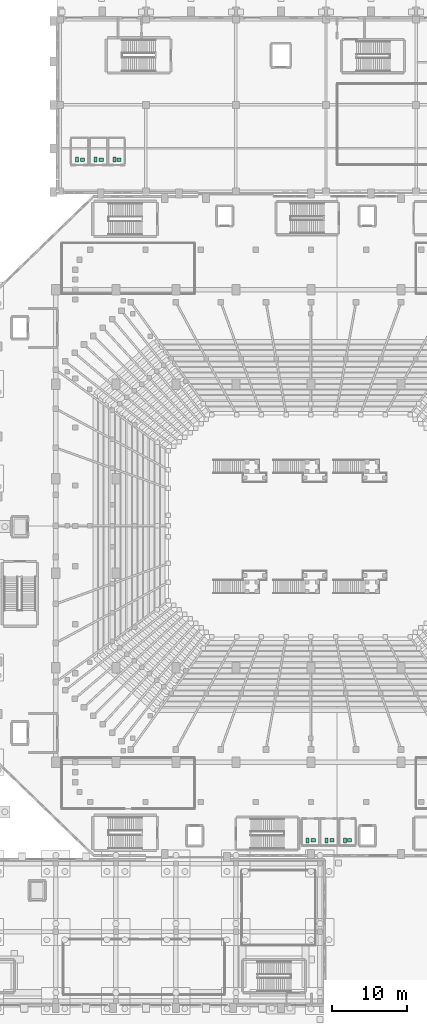
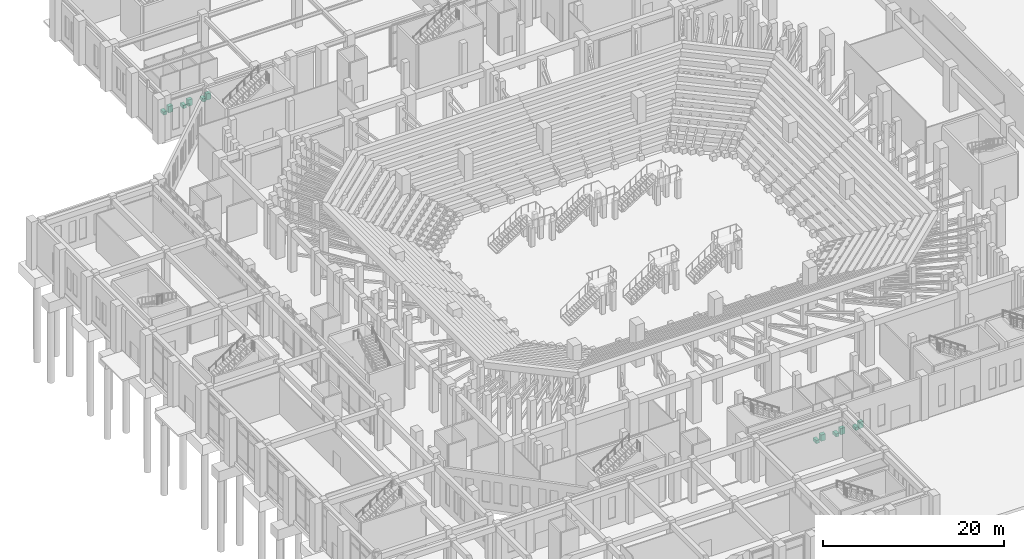
# One storey, part 142 of 143: 12 sanitary terminals.
"""IFC4 building model written with IfcOpenShell, lengths in metres."""

import ifcopenshell
import ifcopenshell.guid

model = None  # the IFC model being written
_history = None  # IfcOwnerHistory: only IFC2X3 demands one
_inside = {}  # id of a spatial element -> (the spatial element, [elements in it])
_under = {}  # id of a project, library or spatial element -> (it, [spatial elements below it])
_declared = {}  # id of a project -> (the project, [libraries it declares])
_typed = {}  # id of a type object -> (the type object, [elements of that type])
_made_of = {}  # id of a material, layer set ... -> (it, [elements and type objects made of it])


def new_model(schema):
    """Start an empty IFC model of exactly this schema.

    Asked for "IFC4X3", IfcOpenShell would pick the latest addendum, in which some entities
    have other attributes; the version numbers below select the first issue.
    IFC2X3 requires an IfcOwnerHistory on every rooted entity: one is made here for all.
    """
    global model, _history
    if schema == "IFC4X3":
        model = ifcopenshell.file(schema_version=(4, 3, 0, 0))
    else:
        model = ifcopenshell.file(schema=schema)
    _inside.clear()
    _under.clear()
    _declared.clear()
    _typed.clear()
    _made_of.clear()
    _history = None
    if model.schema == "IFC2X3":
        org = make("IfcOrganization", Name="unknown")
        user = make(
            "IfcPersonAndOrganization",
            ThePerson=make("IfcPerson", FamilyName="unknown"),
            TheOrganization=org,
        )
        app = make(
            "IfcApplication",
            ApplicationDeveloper=org,
            Version="unknown",
            ApplicationFullName="unknown",
            ApplicationIdentifier="unknown",
        )
        _history = make(
            "IfcOwnerHistory",
            OwningUser=user,
            OwningApplication=app,
            ChangeAction="ADDED",
            CreationDate=0,
        )
    return model


def make(cls, **values):
    """One entity of the class cls with the attributes given. An attribute that is None is left unset."""
    return model.create_entity(
        cls, **{name: value for name, value in values.items() if value is not None}
    )


def rooted(cls, **values):
    """An entity with a GlobalId (a new one), such as an element, a storey or a relation."""
    return make(cls, GlobalId=ifcopenshell.guid.new(), OwnerHistory=_history, **values)


def si_unit(unit_type, name, prefix=None):
    """IfcSIUnit, for example si_unit("LENGTHUNIT", "METRE", prefix="MILLI")."""
    return make("IfcSIUnit", UnitType=unit_type, Prefix=prefix, Name=name)


def derived_unit(unit_type, elements):
    """IfcDerivedUnit: a product of units, each with its exponent."""
    return make(
        "IfcDerivedUnit",
        Elements=[
            make("IfcDerivedUnitElement", Unit=unit, Exponent=power)
            for unit, power in elements
        ],
        UnitType=unit_type,
    )


def assignment(units):
    """IfcUnitAssignment: the units of a project."""
    return None if units is None else make("IfcUnitAssignment", Units=units)


def point(xyz):
    """IfcCartesianPoint."""
    return None if xyz is None else make("IfcCartesianPoint", Coordinates=xyz)


def direction(xyz):
    """IfcDirection."""
    return None if xyz is None else make("IfcDirection", DirectionRatios=xyz)


def frame(location, z_axis=None, x_axis=None):
    """IfcAxis2Placement3D, a coordinate frame: its origin and axes. An axis left out is left unset."""
    return make(
        "IfcAxis2Placement3D",
        Location=point(location),
        Axis=direction(z_axis),
        RefDirection=direction(x_axis),
    )


def frame_2d(location, x_axis=None):
    """IfcAxis2Placement2D, a coordinate frame in the plane: its origin and x axis."""
    return make(
        "IfcAxis2Placement2D", Location=point(location), RefDirection=direction(x_axis)
    )


def origin():
    """The frame at (0, 0, 0) with its axes left unset."""
    return frame((0.0, 0.0, 0.0))


def origin_2d():
    """The frame at (0, 0) in the plane with its x axis left unset."""
    return frame_2d((0.0, 0.0))


def place(relative_to, where):
    """IfcLocalPlacement: puts the frame where relative to a parent placement (None: the world)."""
    return make(
        "IfcLocalPlacement", PlacementRelTo=relative_to, RelativePlacement=where
    )


def context(
    kind, dimensions, precision=None, world=None, true_north=None, identifier=None
):
    """IfcGeometricRepresentationContext, for example the 3D "Model" context."""
    return make(
        "IfcGeometricRepresentationContext",
        ContextIdentifier=identifier,
        ContextType=kind,
        CoordinateSpaceDimension=dimensions,
        Precision=precision,
        WorldCoordinateSystem=world,
        TrueNorth=true_north,
    )


def subcontext(parent, identifier, kind, view, scale=None):
    """IfcGeometricRepresentationSubContext, for example "Body" below "Model"."""
    return make(
        "IfcGeometricRepresentationSubContext",
        ContextIdentifier=identifier,
        ContextType=kind,
        ParentContext=parent,
        TargetScale=scale,
        TargetView=view,
    )


def project(units=None, contexts=None):
    """IfcProject with its units and contexts."""
    return rooted(
        "IfcProject",
        Name="project",
        RepresentationContexts=contexts,
        UnitsInContext=assignment(units),
    )


def spatial(cls, under=None, at=None, **own):
    """A site, building, storey or space (cls), placed at a placement, below another one or the project."""
    s = rooted(cls, ObjectPlacement=at, **own)
    if under is not None:
        _under.setdefault(under.id(), (under, []))[1].append(s)
    return s


def profile(cls, at=None, kind="AREA", **sizes):
    """A parametric profile (cls). Its sizes go by their IFC names, for example OverallWidth=200.0."""
    return make(cls, ProfileType=kind, Position=at, **sizes)


def rectangle(**sizes):
    """IfcRectangleProfileDef."""
    return profile("IfcRectangleProfileDef", **sizes)


def extrude(swept, where, along, depth):
    """IfcExtrudedAreaSolid: the profile swept, set in the frame where, extruded along a direction by depth."""
    return make(
        "IfcExtrudedAreaSolid",
        SweptArea=swept,
        Position=where,
        ExtrudedDirection=direction(along),
        Depth=depth,
    )


def shape(context_of_items, identifier, shape_type, items):
    """IfcShapeRepresentation: the items that make up one representation, for example the "Body"."""
    return make(
        "IfcShapeRepresentation",
        ContextOfItems=context_of_items,
        RepresentationIdentifier=identifier,
        RepresentationType=shape_type,
        Items=items,
    )


def material(Name=None, Category=None):
    """IfcMaterial."""
    return make("IfcMaterial", Name=Name, Category=Category)


def made_of(thing, what):
    """Note that an element or type object is made of a material, layer set ...; save() writes the relation."""
    if what is not None:
        _made_of.setdefault(what.id(), (what, []))[1].append(thing)
    return thing


def type_object(cls, material=None, **own):
    """A type object (cls), such as IfcWallType, which elements share."""
    return made_of(rooted(cls, **own), material)


def element(
    cls,
    number,
    at=None,
    inside=None,
    cuts=None,
    type_object=None,
    material=None,
    context=None,
    identifier="Body",
    shape_type=None,
    held_by="IfcProductDefinitionShape",
    body=None,
    shapes=None,
    **own,
):
    """One element of the class cls, such as IfcWall. Its Tag is "e" and its number.

    at: its placement. inside: the storey or other place that contains it. cuts: it is an
    opening in that element (IfcRelVoidsElement). A single representation is given by context,
    identifier, shape_type and body (its items); several are given by shapes. held_by: the class
    of the entity that holds the representations. save() writes the other relations.
    """
    e = rooted(cls, Tag="e%d" % number, ObjectPlacement=at, **own)
    if body is not None:
        shapes = [shape(context, identifier, shape_type, body)]
    if shapes is not None:
        e.Representation = make(held_by, Representations=shapes)
    if inside is not None:
        _inside.setdefault(inside.id(), (inside, []))[1].append(e)
    if cuts is not None:
        rooted(
            "IfcRelVoidsElement", RelatingBuildingElement=cuts, RelatedOpeningElement=e
        )
    if type_object is not None:
        _typed.setdefault(type_object.id(), (type_object, []))[1].append(e)
    return made_of(e, material)


def aggregate(whole, parts):
    """IfcRelAggregates: a whole, such as a stair, and the parts it consists of."""
    return rooted("IfcRelAggregates", RelatingObject=whole, RelatedObjects=parts)


def save(model, path):
    """Write the relations noted so far, then the file.

    IfcRelAggregates (storeys below a building ...), IfcRelContainedInSpatialStructure (elements
    in a storey), IfcRelDefinesByType, IfcRelAssociatesMaterial and IfcRelDeclares: one each for
    every whole, place, type object, material and project.
    """
    for whole, parts in _under.values():
        aggregate(whole, parts)
    for where, things in _inside.values():
        rooted(
            "IfcRelContainedInSpatialStructure",
            RelatedElements=things,
            RelatingStructure=where,
        )
    for kind, things in _typed.values():
        rooted("IfcRelDefinesByType", RelatedObjects=things, RelatingType=kind)
    for what, things in _made_of.values():
        rooted("IfcRelAssociatesMaterial", RelatedObjects=things, RelatingMaterial=what)
    for by, libraries in _declared.values():
        rooted("IfcRelDeclares", RelatingContext=by, RelatedDefinitions=libraries)
    model.write(path)


model = new_model("IFC4")

# Units and contexts
model_context = context("Model", 3, precision=1e-05, world=origin(), true_north=direction((0.0, 1.0)))
body_context = subcontext(model_context, "Body", "Model", "MODEL_VIEW")
ifc_project = project(units=[si_unit("LENGTHUNIT", "METRE"), si_unit("AREAUNIT", "SQUARE_METRE"), si_unit("VOLUMEUNIT", "CUBIC_METRE"), si_unit("PLANEANGLEUNIT", "RADIAN"), si_unit("MASSUNIT", "GRAM", prefix="KILO"), derived_unit("THERMALTRANSMITTANCEUNIT", [(si_unit("MASSUNIT", "GRAM", prefix="KILO"), 1), (si_unit("TIMEUNIT", "SECOND"), -3), (si_unit("THERMODYNAMICTEMPERATUREUNIT", "KELVIN"), -1)])], contexts=[model_context])

# Site, building, storey
site_placement = place(None, origin())
site = spatial("IfcSite", under=ifc_project, at=site_placement, CompositionType="ELEMENT")
building_placement = place(site_placement, origin())
building = spatial("IfcBuilding", under=site, at=building_placement, Name="Valcora Ridge Arena", CompositionType="ELEMENT")
storey_placement = place(building_placement, origin())
storey = spatial("IfcBuildingStorey", under=building, at=storey_placement, Name="L00", CompositionType="ELEMENT", Elevation=0.0)

# Sanitary terminals
ifc_material = material(Name="Vitreous china sanitary ceramic")
sanitary_terminal_type_1 = type_object("IfcSanitaryTerminalType", Name="TY-SANITARYTERMINAL-BASIN-PED-01", PredefinedType="WASHHANDBASIN", material=ifc_material)
for number, where, z_axis, x_axis, name in (
    (1, (58.300048828125, 22.199951171875, 0.0), (0.0, 0.0, 1.0), (1.0, 0.0, 0.0), "BASIN-PED-01 SAN-BS-0004"),
    (2, (60.800048828125, 22.199951171875, 0.0), (0.0, 0.0, 1.0), (1.0, 0.0, 0.0), "BASIN-PED-01 SAN-BS-0005"),
    (3, (63.14990234375, 22.199951171875, 0.0), (0.0, 0.0, 1.0), (1.0, 0.0, 0.0), "BASIN-PED-01 SAN-BS-0006"),
    (4, (27.550048828125, 112.89990234375, 0.0), (0.0, 0.0, 1.0), (1.0, 0.0, 0.0), "BASIN-PED-01 SAN-BS-0007"),
    (5, (30.050048828125, 112.89990234375, 0.0), (0.0, 0.0, 1.0), (1.0, 0.0, 0.0), "BASIN-PED-01 SAN-BS-0008"),
    (6, (32.39990234375, 112.89990234375, 0.0), (0.0, 0.0, 1.0), (1.0, 0.0, 0.0), "BASIN-PED-01 SAN-BS-0009"),
):
    element("IfcSanitaryTerminal", number, at=place(storey_placement, frame(where, z_axis=z_axis, x_axis=x_axis)), inside=storey, type_object=sanitary_terminal_type_1, Name=name, PredefinedType="WASHHANDBASIN", context=body_context, shape_type="SweptSolid", body=[
        extrude(rectangle(XDim=0.550048828125, YDim=0.449951171875, at=origin_2d()), origin(), (0.0, 0.0, 1.0), 0.85009765625),
    ])
sanitary_terminal_type_2 = type_object("IfcSanitaryTerminalType", Name="TY-SANITARYTERMINAL-WC-PAN-01", PredefinedType="TOILETPAN", material=ifc_material)
for number, where, z_axis, x_axis, name in (
    (7, (57.550048828125, 22.199951171875, 0.0), (0.0, 0.0, 1.0), (1.0, 0.0, 0.0), "WC-PAN-01 SAN-WC-0004"),
    (8, (60.050048828125, 22.199951171875, 0.0), (0.0, 0.0, 1.0), (1.0, 0.0, 0.0), "WC-PAN-01 SAN-WC-0005"),
    (9, (62.550048828125, 22.199951171875, 0.0), (0.0, 0.0, 1.0), (1.0, 0.0, 0.0), "WC-PAN-01 SAN-WC-0006"),
    (10, (26.800048828125, 112.89990234375, 0.0), (0.0, 0.0, 1.0), (1.0, 0.0, 0.0), "WC-PAN-01 SAN-WC-0007"),
    (11, (29.300048828125, 112.89990234375, 0.0), (0.0, 0.0, 1.0), (1.0, 0.0, 0.0), "WC-PAN-01 SAN-WC-0008"),
    (12, (31.800048828125, 112.89990234375, 0.0), (0.0, 0.0, 1.0), (1.0, 0.0, 0.0), "WC-PAN-01 SAN-WC-0009"),
):
    element("IfcSanitaryTerminal", number, at=place(storey_placement, frame(where, z_axis=z_axis, x_axis=x_axis)), inside=storey, type_object=sanitary_terminal_type_2, Name=name, PredefinedType="TOILETPAN", context=body_context, shape_type="SweptSolid", body=[
        extrude(rectangle(XDim=0.419921875, YDim=0.679931640625, at=origin_2d()), origin(), (0.0, 0.0, 1.0), 0.419921875),
    ])

save(model, "model.ifc")
